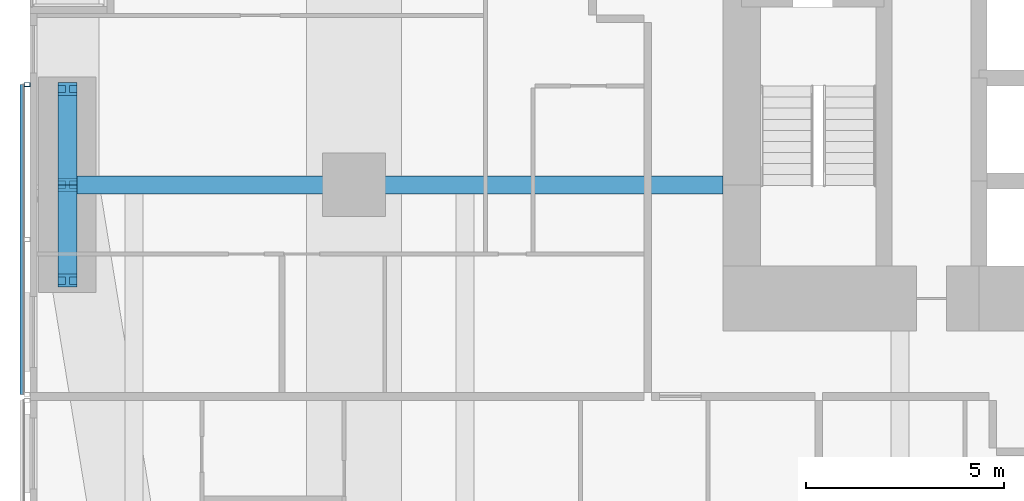
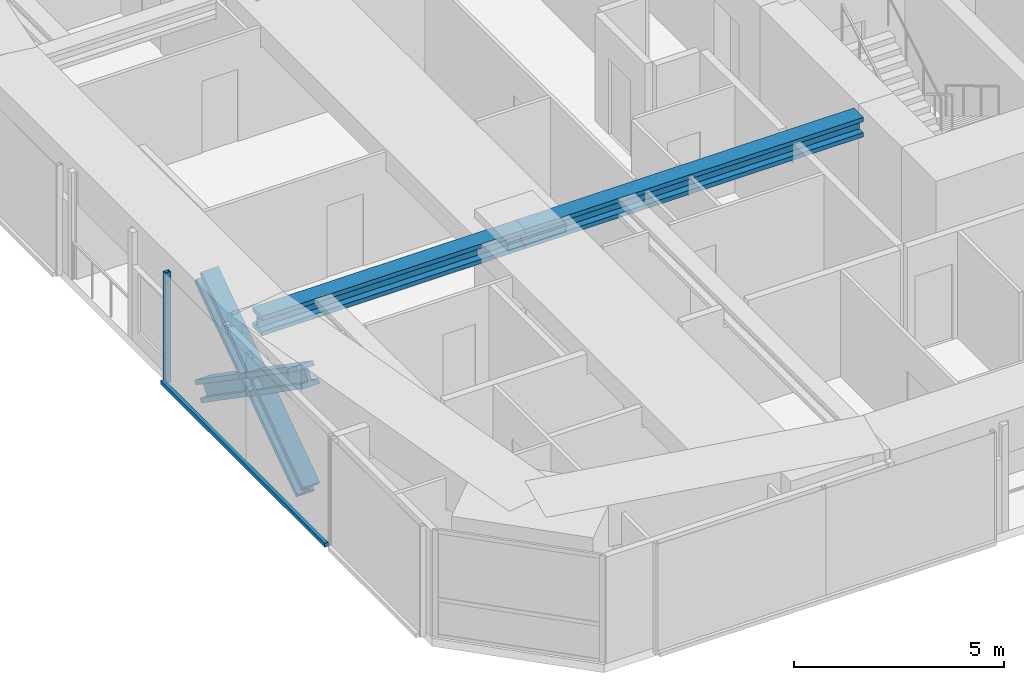
# One storey, part 3 of 23: 6 members, 2 beams, 1 element without a shape of its own.
"""IFC4 building model written with IfcOpenShell, lengths in metres."""

from ifc_helpers import new_model, si_unit, direction, frame, origin, origin_2d, place, context, subcontext, project, spatial, rectangle, hollow_rectangle, i_section, extrude, material, material_profile, profile_set, type_object, element, aggregate, save


model = new_model("IFC4")

# Units and contexts
model_context = context("Model", 3, precision=1e-05, world=origin(), true_north=direction((0.0, 1.0)))
body_context = subcontext(model_context, "Body", "Model", "MODEL_VIEW")
ifc_project = project(units=[si_unit("LENGTHUNIT", "METRE"), si_unit("AREAUNIT", "SQUARE_METRE"), si_unit("VOLUMEUNIT", "CUBIC_METRE"), si_unit("PLANEANGLEUNIT", "RADIAN"), si_unit("MASSUNIT", "GRAM", prefix="KILO")], contexts=[model_context])

# Site, building, storey
site_placement = place(None, origin())
site = spatial("IfcSite", under=ifc_project, at=site_placement, CompositionType="ELEMENT")
building_placement = place(site_placement, origin())
building = spatial("IfcBuilding", under=site, at=building_placement, Name="Jalousie Tower", CompositionType="ELEMENT")
storey_placement = place(building_placement, frame((0.0, 0.0, 24.35009765625)))
storey = spatial("IfcBuildingStorey", under=building, at=storey_placement, Name="L05", CompositionType="ELEMENT", Elevation=24.35009765625)

# Beams
ifc_material_1 = material(Name="Steel ASTM A992 Grade 50", Category="steel")
ifc_material_profile_1 = material_profile(ifc_material_1, i_section(OverallWidth=0.45458984375, OverallDepth=0.569091796875, WebThickness=0.077880859375, FlangeThickness=0.124755859375, at=origin_2d()), Name="W14X730")
ifc_profile_set_1 = profile_set([ifc_material_profile_1], Name="Steel ASTM A992 Grade 50")
beam_type = type_object("IfcBeamType", Name="LEAN COLLECTOR W14X730", PredefinedType="BEAM", material=ifc_profile_set_1)
beam_1_placement = place(storey_placement, frame((2.949951171875, 13.0, 2.825439453125), z_axis=(1.0, 0.0, 0.0), x_axis=(0.0, 1.0, 0.0)))
element("IfcBeam", 1, at=beam_1_placement, inside=storey, type_object=beam_type, Name="Lean collector under L06", PredefinedType="BEAM", context=body_context, shape_type="SweptSolid", body=[
    extrude(i_section(OverallWidth=0.45458984375, OverallDepth=0.569091796875, WebThickness=0.077880859375, FlangeThickness=0.124755859375, at=origin_2d()), origin(), (0.0, 0.0, 1.0), 7.25),
])
beam_2_placement = place(storey_placement, frame((10.199951171875, 13.0, 2.825439453125), z_axis=(1.0, 0.0, 0.0), x_axis=(0.0, 1.0, 0.0)))
element("IfcBeam", 2, at=beam_2_placement, inside=storey, type_object=beam_type, Name="Lean collector under L06", PredefinedType="BEAM", context=body_context, shape_type="SweptSolid", body=[
    extrude(i_section(OverallWidth=0.45458984375, OverallDepth=0.569091796875, WebThickness=0.077880859375, FlangeThickness=0.124755859375, at=origin_2d()), origin(), (0.0, 0.0, 1.0), 9.324951171875),
])

# Members
ifc_material_2 = material(Name="Steel ASTM A992 Grade 50", Category="steel")
ifc_material_profile_2 = material_profile(ifc_material_2, i_section(OverallWidth=0.472412109375, OverallDepth=0.5791015625, WebThickness=0.094970703125, FlangeThickness=0.1298828125, at=origin_2d()), Name="W14X808")
ifc_profile_set_2 = profile_set([ifc_material_profile_2], Name="Steel ASTM A992 Grade 50")
member_type_1 = type_object("IfcMemberType", Name="PERIMETER BRACE W14X808", PredefinedType="BRACE", material=ifc_profile_set_2)
for number, where, z_axis, x_axis, name in (
    (3, (2.949951171875, 10.574951171875, -0.60009765625), (0.0, 0.822800062329, 0.568330940062), (-1.0, 0.0, 0.0), "Perimeter brace 14 L05 part 1"),
    (4, (2.949951171875, 13.0, 1.074951171875), (0.0, 0.822800062329, 0.568330940062), (-1.0, 0.0, 0.0), "Perimeter brace 14 L05 part 2"),
    (5, (2.949951171875, 15.425048828125, -0.60009765625), (0.0, -0.822800062329, 0.568330940062), (1.0, 0.0, 0.0), "Perimeter brace 14 L05 part 3"),
    (6, (2.949951171875, 13.0, 1.074951171875), (0.0, -0.822800062329, 0.568330940062), (1.0, 0.0, 0.0), "Perimeter brace 14 L05 part 4"),
):
    element("IfcMember", number, at=place(storey_placement, frame(where, z_axis=z_axis, x_axis=x_axis)), inside=storey, type_object=member_type_1, Name=name, PredefinedType="BRACE", context=body_context, shape_type="SweptSolid", body=[
        extrude(i_section(OverallWidth=0.472412109375, OverallDepth=0.5791015625, WebThickness=0.094970703125, FlangeThickness=0.1298828125, at=origin_2d()), origin(), (0.0, 0.0, 1.0), 2.947265625),
    ])

# Curtain wall, members
ifc_material_3 = material(Name="Perforated aluminium sheet", Category="aluminium")
curtain_wall_type = type_object("IfcCurtainWallType", Name="SOLAR SCREEN SS-1", PredefinedType="USERDEFINED", material=ifc_material_3)
curtain_wall_placement = place(storey_placement, origin())
curtain_wall = element("IfcCurtainWall", 7, at=curtain_wall_placement, inside=storey, type_object=curtain_wall_type, Name="Solar screen L05", ObjectType="SOLAR SCREEN SS-1", PredefinedType="USERDEFINED")
ifc_material_4 = material(Name="Steel ASTM A500 Grade C", Category="steel")
ifc_material_profile_3 = material_profile(ifc_material_4, hollow_rectangle(XDim=0.1015625, YDim=0.15234375, WallThickness=0.00634765625, at=origin_2d()), Name="HSS6X4X1/4")
ifc_profile_set_3 = profile_set([ifc_material_profile_3], Name="Steel ASTM A500 Grade C")
member_type_2 = type_object("IfcMemberType", Name="SOLAR SCREEN SS-1 MULLION", PredefinedType="MULLION", material=ifc_profile_set_3)
member_1_placement = place(storey_placement, frame((1.9287109375, 15.533203125, -0.1201171875), z_axis=(0.0, 0.0, 1.0), x_axis=(0.0, -1.0, 0.0)))
member_1 = element("IfcMember", 8, at=member_1_placement, type_object=member_type_2, Name="SS1 post 1", PredefinedType="MULLION", context=body_context, shape_type="SweptSolid", body=[
    extrude(hollow_rectangle(XDim=0.1015625, YDim=0.15234375, WallThickness=0.00634765625, at=origin_2d()), origin(), (0.0, 0.0, 1.0), 3.22998046875),
])
ifc_material_5 = material(Name="Extruded aluminium screen rail", Category="aluminium")
ifc_material_profile_4 = material_profile(ifc_material_5, rectangle(XDim=0.1015625, YDim=0.1201171875, at=origin_2d()), Name="RAIL 102x120")
ifc_profile_set_4 = profile_set([ifc_material_profile_4], Name="Extruded aluminium screen rail")
member_type_3 = type_object("IfcMemberType", Name="SOLAR SCREEN SS-1 TRANSOM", PredefinedType="USERDEFINED", material=ifc_profile_set_4)
member_2_placement = place(storey_placement, frame((1.8017578125, 15.533203125, -0.06005859375), z_axis=(0.0, -1.0, 0.0), x_axis=(1.0, 0.0, 0.0)))
member_2 = element("IfcMember", 9, at=member_2_placement, type_object=member_type_3, Name="SS1 rail", ObjectType="TRANSOM", PredefinedType="USERDEFINED", context=body_context, shape_type="SweptSolid", body=[
    extrude(rectangle(XDim=0.1015625, YDim=0.1201171875, at=origin_2d()), origin(), (0.0, 0.0, 1.0), 7.833251953125),
])
aggregate(curtain_wall, [member_1, member_2])

save(model, "model.ifc")
